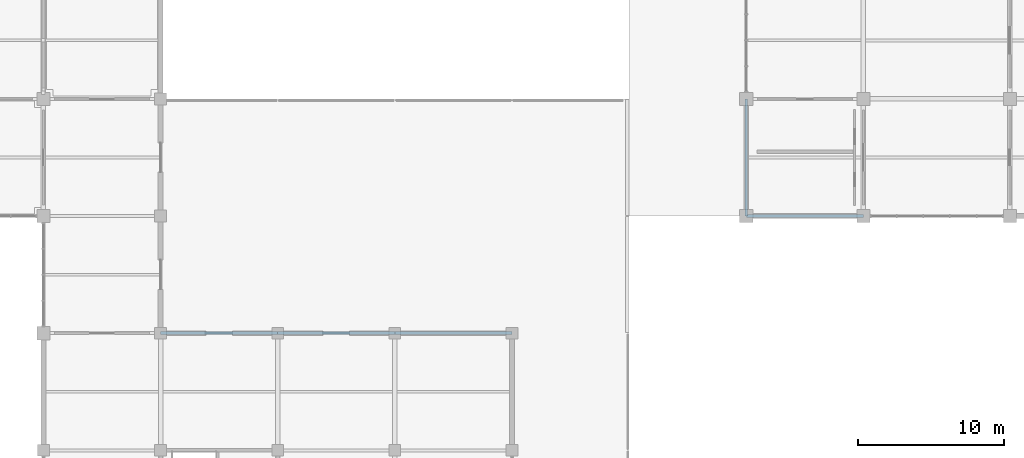
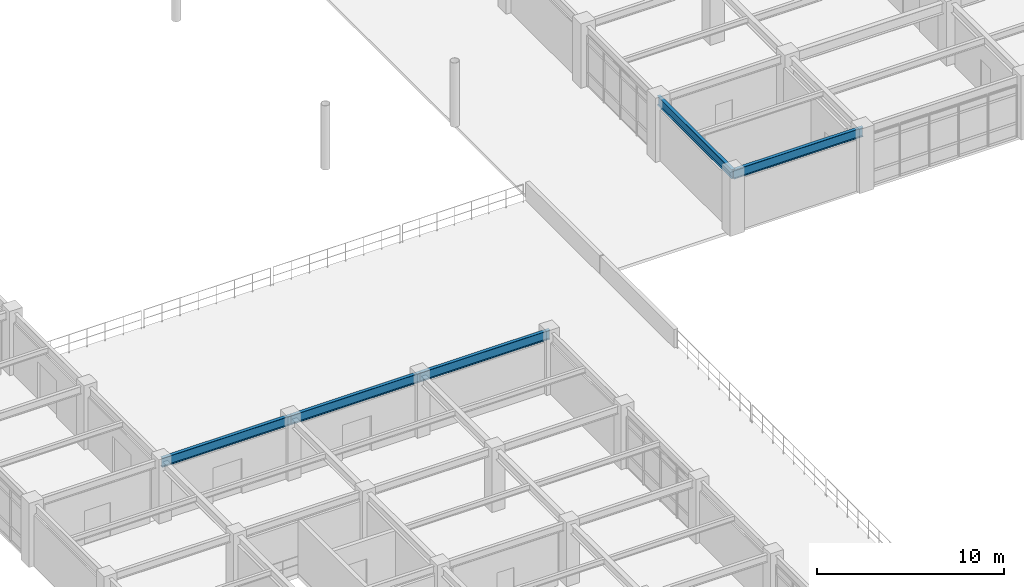
# One storey, part 38 of 118: 5 beams.
"""IFC4 building model written with IfcOpenShell, lengths in metres."""

from ifc_helpers import new_model, si_unit, direction, frame, origin, origin_2d, place, context, subcontext, project, spatial, i_section, extrude, material, material_profile, profile_set, type_object, element, save


model = new_model("IFC4")

# Units and contexts
model_context = context("Model", 3, precision=1e-05, world=origin(), true_north=direction((0.0, 1.0)))
body_context = subcontext(model_context, "Body", "Model", "MODEL_VIEW")
ifc_project = project(units=[si_unit("LENGTHUNIT", "METRE"), si_unit("AREAUNIT", "SQUARE_METRE"), si_unit("VOLUMEUNIT", "CUBIC_METRE"), si_unit("PLANEANGLEUNIT", "RADIAN"), si_unit("MASSUNIT", "GRAM", prefix="KILO")], contexts=[model_context])

# Site, building, storey
site_placement = place(None, origin())
site = spatial("IfcSite", under=ifc_project, at=site_placement, CompositionType="ELEMENT")
building_placement = place(site_placement, origin())
building = spatial("IfcBuilding", under=site, at=building_placement, Name="Haebicheon Civic Stadium", CompositionType="ELEMENT")
storey_placement = place(building_placement, frame((0.0, 0.0, 14.39990234375)))
storey = spatial("IfcBuildingStorey", under=building, at=storey_placement, Name="L04", CompositionType="ELEMENT", Elevation=14.39990234375)

# Beams
ifc_material = material(Name="Steel SM355 (S355)", Category="steel")
ifc_material_profile = material_profile(ifc_material, i_section(OverallWidth=0.199951171875, OverallDepth=0.60009765625, WebThickness=0.010986328125, FlangeThickness=0.01708984375, at=origin_2d()), Name="H-600x200x11x17")
ifc_profile_set = profile_set([ifc_material_profile], Name="Steel SM355 (S355)")
beam_type = type_object("IfcBeamType", Name="SPD-ST-H600B", PredefinedType="SPANDREL", material=ifc_profile_set)
for number, where, z_axis, x_axis, name in (
    (1, (208.0, 40.0, 3.68017578125), (0.0, 1.0, 0.0), (-1.0, 0.0, 0.0), "L04 girder 27/F-G"),
    (2, (168.0, 32.0, 3.68017578125), (1.0, 0.0, 0.0), (0.0, 1.0, 0.0), "L04 beam E/22-23"),
    (3, (176.0, 32.0, 3.68017578125), (1.0, 0.0, 0.0), (0.0, 1.0, 0.0), "L04 beam E/23-24"),
    (4, (184.0, 32.0, 3.68017578125), (1.0, 0.0, 0.0), (0.0, 1.0, 0.0), "L04 beam E/24-25"),
    (5, (208.0, 40.0, 3.68017578125), (1.0, 0.0, 0.0), (0.0, 1.0, 0.0), "L04 beam F/27-28"),
):
    element("IfcBeam", number, at=place(storey_placement, frame(where, z_axis=z_axis, x_axis=x_axis)), inside=storey, type_object=beam_type, material=ifc_profile_set, Name=name, PredefinedType="SPANDREL", context=body_context, shape_type="SweptSolid", body=[
        extrude(i_section(OverallWidth=0.199951171875, OverallDepth=0.60009765625, WebThickness=0.010986328125, FlangeThickness=0.01708984375, at=origin_2d()), origin(), (0.0, 0.0, 1.0), 8.0),
    ])

save(model, "model.ifc")
